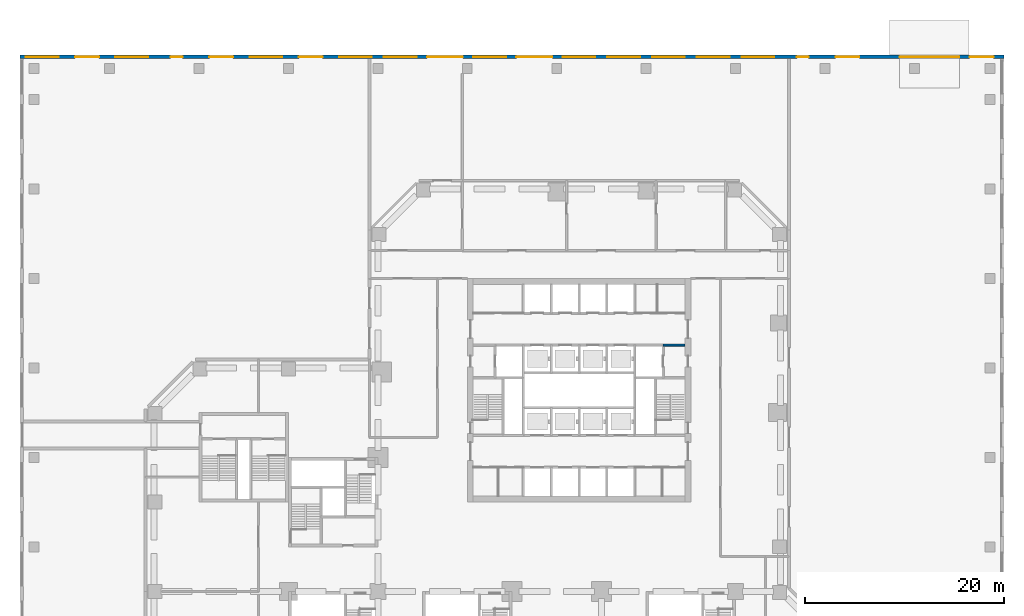
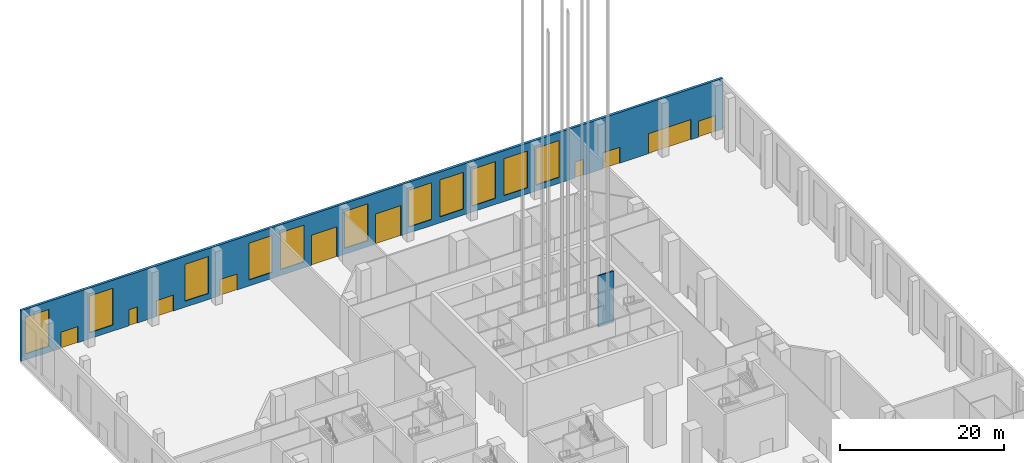
# One storey, part 16 of 32: 11 windows, 10 doors, 2 walls, 21 openings.
"""IFC4 building model written with IfcOpenShell, lengths in metres."""

from ifc_helpers import new_model, si_unit, direction, frame, frame_2d, origin, place, context, subcontext, project, spatial, rectangle, extrude, material, layer, layer_set, constituent, constituent_set, type_object, element, fill, save


model = new_model("IFC4")

# Units and contexts
model_context = context("Model", 3, precision=1e-05, world=origin(), true_north=direction((0.0, 1.0)))
body_context = subcontext(model_context, "Body", "Model", "MODEL_VIEW")
ifc_project = project(units=[si_unit("LENGTHUNIT", "METRE"), si_unit("AREAUNIT", "SQUARE_METRE"), si_unit("VOLUMEUNIT", "CUBIC_METRE"), si_unit("PLANEANGLEUNIT", "RADIAN"), si_unit("MASSUNIT", "GRAM", prefix="KILO")], contexts=[model_context])

# Site, building, storey
site_placement = place(None, origin())
site = spatial("IfcSite", under=ifc_project, at=site_placement, CompositionType="ELEMENT")
building_placement = place(site_placement, origin())
building = spatial("IfcBuilding", under=site, at=building_placement, Name="Quoin Convention Tower", CompositionType="ELEMENT")
storey_placement = place(building_placement, origin())
storey = spatial("IfcBuildingStorey", under=building, at=storey_placement, Name="L00", CompositionType="ELEMENT", Elevation=0.0)

# Wall, openings, doors, windows
ifc_material_1 = material(Name="Brick masonry", Category="masonry")
ifc_layer_1 = layer(ifc_material_1, 0.35009765625)
ifc_layer_set_1 = layer_set([ifc_layer_1], Name="Brick masonry")
wall_type_1 = type_object("IfcWallType", Name="Brick facade wall", PredefinedType="STANDARD", material=ifc_layer_set_1)
wall_1_placement = place(storey_placement, frame((99.0, 94.324951171875, 0.0), z_axis=(0.0, 0.0, 1.0), x_axis=(-1.0, 0.0, 0.0)))
wall_1 = element("IfcWall", 1, at=wall_1_placement, inside=storey, type_object=wall_type_1, Name="fw-L00-99000_94500", PredefinedType="STANDARD", context=body_context, shape_type="SweptSolid", body=[
    extrude(rectangle(XDim=99.0, YDim=0.35009765625, at=frame_2d((49.5, 0.0))), origin(), (0.0, 0.0, 1.0), 7.590087890625),
])
opening_1_placement = place(wall_1_placement, frame((1.050048828125, 0.0, 0.0)))
opening_1 = element("IfcOpeningElement", 2, at=opening_1_placement, cuts=wall_1, Name="Opening D-T5", PredefinedType="OPENING", context=body_context, shape_type="SweptSolid", body=[
    extrude(rectangle(XDim=2.39990234375, YDim=2.39990234375, at=frame_2d((1.199951171875, 1.199951171875))), frame((0.0, 0.18505859375, 0.0), z_axis=(0.0, -1.0, 0.0), x_axis=(1.0, 0.0, 0.0)), (0.0, 0.0, 1.0), 0.3701171875),
])
opening_2_placement = place(wall_1_placement, frame((4.5, 0.0, 0.0)))
opening_2 = element("IfcOpeningElement", 3, at=opening_2_placement, cuts=wall_1, Name="Opening D-T6", PredefinedType="OPENING", context=body_context, shape_type="SweptSolid", body=[
    extrude(rectangle(XDim=6.0, YDim=3.0, at=frame_2d((3.0, 1.5))), frame((0.0, 0.18505859375, 0.0), z_axis=(0.0, -1.0, 0.0), x_axis=(1.0, 0.0, 0.0)), (0.0, 0.0, 1.0), 0.3701171875),
])
opening_3_placement = place(wall_1_placement, frame((14.550048828125, 0.0, 0.0)))
opening_3 = element("IfcOpeningElement", 4, at=opening_3_placement, cuts=wall_1, Name="Opening D-T5", PredefinedType="OPENING", context=body_context, shape_type="SweptSolid", body=[
    extrude(rectangle(XDim=2.39990234375, YDim=2.39990234375, at=frame_2d((1.199951171875, 1.199951171875))), frame((0.0, 0.18505859375, 0.0), z_axis=(0.0, -1.0, 0.0), x_axis=(1.0, 0.0, 0.0)), (0.0, 0.0, 1.0), 0.3701171875),
])
opening_4_placement = place(wall_1_placement, frame((19.64990234375, 0.0, 0.0)))
opening_4 = element("IfcOpeningElement", 5, at=opening_4_placement, cuts=wall_1, Name="Opening D-T4", PredefinedType="OPENING", context=body_context, shape_type="SweptSolid", body=[
    extrude(rectangle(XDim=1.199951171875, YDim=2.39990234375, at=frame_2d((0.60009765625, 1.199951171875))), frame((0.0, 0.18505859375, 0.0), z_axis=(0.0, -1.0, 0.0), x_axis=(1.0, 0.0, 0.0)), (0.0, 0.0, 1.0), 0.3701171875),
])
opening_5_placement = place(wall_1_placement, frame((23.10009765625, 0.0, 0.89990234375)))
opening_5 = element("IfcOpeningElement", 6, at=opening_5_placement, cuts=wall_1, Name="Opening W-06", PredefinedType="OPENING", context=body_context, shape_type="SweptSolid", body=[
    extrude(rectangle(XDim=3.300048828125, YDim=5.5, at=frame_2d((1.64990234375, 2.75))), frame((0.0, 0.18505859375, 0.0), z_axis=(0.0, -1.0, 0.0), x_axis=(1.0, 0.0, 0.0)), (0.0, 0.0, 1.0), 0.3701171875),
])
opening_6_placement = place(wall_1_placement, frame((27.60009765625, 0.0, 0.89990234375)))
opening_6 = element("IfcOpeningElement", 7, at=opening_6_placement, cuts=wall_1, Name="Opening W-06", PredefinedType="OPENING", context=body_context, shape_type="SweptSolid", body=[
    extrude(rectangle(XDim=3.300048828125, YDim=5.5, at=frame_2d((1.64990234375, 2.75))), frame((0.0, 0.18505859375, 0.0), z_axis=(0.0, -1.0, 0.0), x_axis=(1.0, 0.0, 0.0)), (0.0, 0.0, 1.0), 0.3701171875),
])
opening_7_placement = place(wall_1_placement, frame((32.10009765625, 0.0, 0.89990234375)))
opening_7 = element("IfcOpeningElement", 8, at=opening_7_placement, cuts=wall_1, Name="Opening W-06", PredefinedType="OPENING", context=body_context, shape_type="SweptSolid", body=[
    extrude(rectangle(XDim=3.300048828125, YDim=5.5, at=frame_2d((1.64990234375, 2.75))), frame((0.0, 0.18505859375, 0.0), z_axis=(0.0, -1.0, 0.0), x_axis=(1.0, 0.0, 0.0)), (0.0, 0.0, 1.0), 0.3701171875),
])
opening_8_placement = place(wall_1_placement, frame((36.60009765625, 0.0, 0.89990234375)))
opening_8 = element("IfcOpeningElement", 9, at=opening_8_placement, cuts=wall_1, Name="Opening W-06", PredefinedType="OPENING", context=body_context, shape_type="SweptSolid", body=[
    extrude(rectangle(XDim=3.300048828125, YDim=5.5, at=frame_2d((1.64990234375, 2.75))), frame((0.0, 0.18505859375, 0.0), z_axis=(0.0, -1.0, 0.0), x_axis=(1.0, 0.0, 0.0)), (0.0, 0.0, 1.0), 0.3701171875),
])
opening_9_placement = place(wall_1_placement, frame((41.10009765625, 0.0, 0.89990234375)))
opening_9 = element("IfcOpeningElement", 10, at=opening_9_placement, cuts=wall_1, Name="Opening W-06", PredefinedType="OPENING", context=body_context, shape_type="SweptSolid", body=[
    extrude(rectangle(XDim=3.300048828125, YDim=5.5, at=frame_2d((1.64990234375, 2.75))), frame((0.0, 0.18505859375, 0.0), z_axis=(0.0, -1.0, 0.0), x_axis=(1.0, 0.0, 0.0)), (0.0, 0.0, 1.0), 0.3701171875),
])
opening_10_placement = place(wall_1_placement, frame((45.449951171875, 0.0, 0.0)))
opening_10 = element("IfcOpeningElement", 11, at=opening_10_placement, cuts=wall_1, Name="Opening D-T3", PredefinedType="OPENING", context=body_context, shape_type="SweptSolid", body=[
    extrude(rectangle(XDim=3.60009765625, YDim=4.5, at=frame_2d((1.800048828125, 2.25))), frame((0.0, 0.18505859375, 0.0), z_axis=(0.0, -1.0, 0.0), x_axis=(1.0, 0.0, 0.0)), (0.0, 0.0, 1.0), 0.3701171875),
])
opening_11_placement = place(wall_1_placement, frame((50.10009765625, 0.0, 0.89990234375)))
opening_11 = element("IfcOpeningElement", 12, at=opening_11_placement, cuts=wall_1, Name="Opening W-06", PredefinedType="OPENING", context=body_context, shape_type="SweptSolid", body=[
    extrude(rectangle(XDim=3.300048828125, YDim=5.5, at=frame_2d((1.64990234375, 2.75))), frame((0.0, 0.18505859375, 0.0), z_axis=(0.0, -1.0, 0.0), x_axis=(1.0, 0.0, 0.0)), (0.0, 0.0, 1.0), 0.3701171875),
])
opening_12_placement = place(wall_1_placement, frame((54.449951171875, 0.0, 0.0)))
opening_12 = element("IfcOpeningElement", 13, at=opening_12_placement, cuts=wall_1, Name="Opening D-T3", PredefinedType="OPENING", context=body_context, shape_type="SweptSolid", body=[
    extrude(rectangle(XDim=3.60009765625, YDim=4.5, at=frame_2d((1.800048828125, 2.25))), frame((0.0, 0.18505859375, 0.0), z_axis=(0.0, -1.0, 0.0), x_axis=(1.0, 0.0, 0.0)), (0.0, 0.0, 1.0), 0.3701171875),
])
opening_13_placement = place(wall_1_placement, frame((59.10009765625, 0.0, 0.89990234375)))
opening_13 = element("IfcOpeningElement", 14, at=opening_13_placement, cuts=wall_1, Name="Opening W-06", PredefinedType="OPENING", context=body_context, shape_type="SweptSolid", body=[
    extrude(rectangle(XDim=3.300048828125, YDim=5.5, at=frame_2d((1.64990234375, 2.75))), frame((0.0, 0.18505859375, 0.0), z_axis=(0.0, -1.0, 0.0), x_axis=(1.0, 0.0, 0.0)), (0.0, 0.0, 1.0), 0.3701171875),
])
opening_14_placement = place(wall_1_placement, frame((63.60009765625, 0.0, 0.89990234375)))
opening_14 = element("IfcOpeningElement", 15, at=opening_14_placement, cuts=wall_1, Name="Opening W-06", PredefinedType="OPENING", context=body_context, shape_type="SweptSolid", body=[
    extrude(rectangle(XDim=3.300048828125, YDim=5.5, at=frame_2d((1.64990234375, 2.75))), frame((0.0, 0.18505859375, 0.0), z_axis=(0.0, -1.0, 0.0), x_axis=(1.0, 0.0, 0.0)), (0.0, 0.0, 1.0), 0.3701171875),
])
opening_15_placement = place(wall_1_placement, frame((68.550048828125, 0.0, 0.0)))
opening_15 = element("IfcOpeningElement", 16, at=opening_15_placement, cuts=wall_1, Name="Opening D-T5", PredefinedType="OPENING", context=body_context, shape_type="SweptSolid", body=[
    extrude(rectangle(XDim=2.39990234375, YDim=2.39990234375, at=frame_2d((1.199951171875, 1.199951171875))), frame((0.0, 0.18505859375, 0.0), z_axis=(0.0, -1.0, 0.0), x_axis=(1.0, 0.0, 0.0)), (0.0, 0.0, 1.0), 0.3701171875),
])
opening_16_placement = place(wall_1_placement, frame((72.60009765625, 0.0, 0.89990234375)))
opening_16 = element("IfcOpeningElement", 17, at=opening_16_placement, cuts=wall_1, Name="Opening W-06", PredefinedType="OPENING", context=body_context, shape_type="SweptSolid", body=[
    extrude(rectangle(XDim=3.300048828125, YDim=5.5, at=frame_2d((1.64990234375, 2.75))), frame((0.0, 0.18505859375, 0.0), z_axis=(0.0, -1.0, 0.0), x_axis=(1.0, 0.0, 0.0)), (0.0, 0.0, 1.0), 0.3701171875),
])
opening_17_placement = place(wall_1_placement, frame((77.550048828125, 0.0, 0.0)))
opening_17 = element("IfcOpeningElement", 18, at=opening_17_placement, cuts=wall_1, Name="Opening D-T5", PredefinedType="OPENING", context=body_context, shape_type="SweptSolid", body=[
    extrude(rectangle(XDim=2.39990234375, YDim=2.39990234375, at=frame_2d((1.199951171875, 1.199951171875))), frame((0.0, 0.18505859375, 0.0), z_axis=(0.0, -1.0, 0.0), x_axis=(1.0, 0.0, 0.0)), (0.0, 0.0, 1.0), 0.3701171875),
])
opening_18_placement = place(wall_1_placement, frame((82.64990234375, 0.0, 0.0)))
opening_18 = element("IfcOpeningElement", 19, at=opening_18_placement, cuts=wall_1, Name="Opening D-T4", PredefinedType="OPENING", context=body_context, shape_type="SweptSolid", body=[
    extrude(rectangle(XDim=1.199951171875, YDim=2.39990234375, at=frame_2d((0.60009765625, 1.199951171875))), frame((0.0, 0.18505859375, 0.0), z_axis=(0.0, -1.0, 0.0), x_axis=(1.0, 0.0, 0.0)), (0.0, 0.0, 1.0), 0.3701171875),
])
opening_19_placement = place(wall_1_placement, frame((86.10009765625, 0.0, 0.89990234375)))
opening_19 = element("IfcOpeningElement", 20, at=opening_19_placement, cuts=wall_1, Name="Opening W-06", PredefinedType="OPENING", context=body_context, shape_type="SweptSolid", body=[
    extrude(rectangle(XDim=3.300048828125, YDim=5.5, at=frame_2d((1.64990234375, 2.75))), frame((0.0, 0.18505859375, 0.0), z_axis=(0.0, -1.0, 0.0), x_axis=(1.0, 0.0, 0.0)), (0.0, 0.0, 1.0), 0.3701171875),
])
opening_20_placement = place(wall_1_placement, frame((91.050048828125, 0.0, 0.0)))
opening_20 = element("IfcOpeningElement", 21, at=opening_20_placement, cuts=wall_1, Name="Opening D-T5", PredefinedType="OPENING", context=body_context, shape_type="SweptSolid", body=[
    extrude(rectangle(XDim=2.39990234375, YDim=2.39990234375, at=frame_2d((1.199951171875, 1.199951171875))), frame((0.0, 0.18505859375, 0.0), z_axis=(0.0, -1.0, 0.0), x_axis=(1.0, 0.0, 0.0)), (0.0, 0.0, 1.0), 0.3701171875),
])
opening_21_placement = place(wall_1_placement, frame((95.10009765625, 0.0, 0.89990234375)))
opening_21 = element("IfcOpeningElement", 22, at=opening_21_placement, cuts=wall_1, Name="Opening W-06", PredefinedType="OPENING", context=body_context, shape_type="SweptSolid", body=[
    extrude(rectangle(XDim=3.300048828125, YDim=5.5, at=frame_2d((1.64990234375, 2.75))), frame((0.0, 0.18505859375, 0.0), z_axis=(0.0, -1.0, 0.0), x_axis=(1.0, 0.0, 0.0)), (0.0, 0.0, 1.0), 0.3701171875),
])
ifc_material_2 = material(Name="Galvanised steel", Category="steel")
door_type_1 = type_object("IfcDoorType", Name="Exit door", OperationType="DOUBLE_DOOR_SINGLE_SWING", PredefinedType="DOOR", material=ifc_material_2)
door_1_placement = place(opening_1_placement, frame((2.39990234375, 0.0, 0.0), z_axis=(0.0, 0.0, 1.0), x_axis=(-1.0, 0.0, 0.0)))
door_1 = element("IfcDoor", 23, at=door_1_placement, inside=storey, type_object=door_type_1, Name="dr-L00-96750_94325", OperationType="DOUBLE_DOOR_SINGLE_SWING", OverallHeight=2.39990234375, OverallWidth=2.39990234375, PredefinedType="DOOR", context=body_context, shape_type="SweptSolid", body=[
    extrude(rectangle(XDim=2.39990234375, YDim=2.39990234375, at=frame_2d((1.199951171875, 1.199951171875))), frame((0.0, -0.02978515625, 0.0), z_axis=(0.0, -1.0, 0.0), x_axis=(1.0, 0.0, 0.0)), (0.0, 0.0, 1.0), 0.050048828125),
])
fill(opening_1, door_1)
door_2_placement = place(opening_3_placement, frame((2.39990234375, 0.0, 0.0), z_axis=(0.0, 0.0, 1.0), x_axis=(-1.0, 0.0, 0.0)))
door_2 = element("IfcDoor", 24, at=door_2_placement, inside=storey, type_object=door_type_1, Name="dr-L00-83250_94325", OperationType="DOUBLE_DOOR_SINGLE_SWING", OverallHeight=2.39990234375, OverallWidth=2.39990234375, PredefinedType="DOOR", context=body_context, shape_type="SweptSolid", body=[
    extrude(rectangle(XDim=2.39990234375, YDim=2.39990234375, at=frame_2d((1.199951171875, 1.199951171875))), frame((0.0, -0.02978515625, 0.0), z_axis=(0.0, -1.0, 0.0), x_axis=(1.0, 0.0, 0.0)), (0.0, 0.0, 1.0), 0.050048828125),
])
fill(opening_3, door_2)
door_3_placement = place(opening_15_placement, frame((2.39990234375, 0.0, 0.0), z_axis=(0.0, 0.0, 1.0), x_axis=(-1.0, 0.0, 0.0)))
door_3 = element("IfcDoor", 25, at=door_3_placement, inside=storey, type_object=door_type_1, Name="dr-L00-29250_94325", OperationType="DOUBLE_DOOR_SINGLE_SWING", OverallHeight=2.39990234375, OverallWidth=2.39990234375, PredefinedType="DOOR", context=body_context, shape_type="SweptSolid", body=[
    extrude(rectangle(XDim=2.39990234375, YDim=2.39990234375, at=frame_2d((1.199951171875, 1.199951171875))), frame((0.0, -0.02978515625, 0.0), z_axis=(0.0, -1.0, 0.0), x_axis=(1.0, 0.0, 0.0)), (0.0, 0.0, 1.0), 0.050048828125),
])
fill(opening_15, door_3)
door_4_placement = place(opening_17_placement, frame((2.39990234375, 0.0, 0.0), z_axis=(0.0, 0.0, 1.0), x_axis=(-1.0, 0.0, 0.0)))
door_4 = element("IfcDoor", 26, at=door_4_placement, inside=storey, type_object=door_type_1, Name="dr-L00-20250_94325", OperationType="DOUBLE_DOOR_SINGLE_SWING", OverallHeight=2.39990234375, OverallWidth=2.39990234375, PredefinedType="DOOR", context=body_context, shape_type="SweptSolid", body=[
    extrude(rectangle(XDim=2.39990234375, YDim=2.39990234375, at=frame_2d((1.199951171875, 1.199951171875))), frame((0.0, -0.02978515625, 0.0), z_axis=(0.0, -1.0, 0.0), x_axis=(1.0, 0.0, 0.0)), (0.0, 0.0, 1.0), 0.050048828125),
])
fill(opening_17, door_4)
door_5_placement = place(opening_20_placement, frame((2.39990234375, 0.0, 0.0), z_axis=(0.0, 0.0, 1.0), x_axis=(-1.0, 0.0, 0.0)))
door_5 = element("IfcDoor", 27, at=door_5_placement, inside=storey, type_object=door_type_1, Name="dr-L00-6750_94325", OperationType="DOUBLE_DOOR_SINGLE_SWING", OverallHeight=2.39990234375, OverallWidth=2.39990234375, PredefinedType="DOOR", context=body_context, shape_type="SweptSolid", body=[
    extrude(rectangle(XDim=2.39990234375, YDim=2.39990234375, at=frame_2d((1.199951171875, 1.199951171875))), frame((0.0, -0.02978515625, 0.0), z_axis=(0.0, -1.0, 0.0), x_axis=(1.0, 0.0, 0.0)), (0.0, 0.0, 1.0), 0.050048828125),
])
fill(opening_20, door_5)
door_type_2 = type_object("IfcDoorType", Name="Loading dock door", OperationType="ROLLINGUP", PredefinedType="DOOR", material=ifc_material_2)
door_6_placement = place(opening_10_placement, frame((3.60009765625, 0.0, 0.0), z_axis=(0.0, 0.0, 1.0), x_axis=(-1.0, 0.0, 0.0)))
door_6 = element("IfcDoor", 28, at=door_6_placement, inside=storey, type_object=door_type_2, Name="dr-L00-51750_94325", OperationType="ROLLINGUP", OverallHeight=4.5, OverallWidth=3.60009765625, PredefinedType="DOOR", context=body_context, shape_type="SweptSolid", body=[
    extrude(rectangle(XDim=3.60009765625, YDim=4.5, at=frame_2d((1.800048828125, 2.25))), frame((0.0, -0.02978515625, 0.0), z_axis=(0.0, -1.0, 0.0), x_axis=(1.0, 0.0, 0.0)), (0.0, 0.0, 1.0), 0.050048828125),
])
fill(opening_10, door_6)
door_7_placement = place(opening_12_placement, frame((3.60009765625, 0.0, 0.0), z_axis=(0.0, 0.0, 1.0), x_axis=(-1.0, 0.0, 0.0)))
door_7 = element("IfcDoor", 29, at=door_7_placement, inside=storey, type_object=door_type_2, Name="dr-L00-42750_94325", OperationType="ROLLINGUP", OverallHeight=4.5, OverallWidth=3.60009765625, PredefinedType="DOOR", context=body_context, shape_type="SweptSolid", body=[
    extrude(rectangle(XDim=3.60009765625, YDim=4.5, at=frame_2d((1.800048828125, 2.25))), frame((0.0, -0.02978515625, 0.0), z_axis=(0.0, -1.0, 0.0), x_axis=(1.0, 0.0, 0.0)), (0.0, 0.0, 1.0), 0.050048828125),
])
fill(opening_12, door_7)
ifc_material_3 = material(Name="Aluminium", Category="aluminium")
ifc_constituent_1 = constituent(ifc_material_3, Name="Frame")
ifc_material_4 = material(Name="Insulated glass", Category="glass")
ifc_constituent_2 = constituent(ifc_material_4, Name="Glazing")
ifc_constituent_set = constituent_set(constituents=[ifc_constituent_1, ifc_constituent_2], Name="Aluminium")
window_type = type_object("IfcWindowType", Name="Podium street window", PartitioningType="TRIPLE_PANEL_VERTICAL", PredefinedType="WINDOW", material=ifc_constituent_set)
window_1_placement = place(opening_5_placement, origin())
window_1 = element("IfcWindow", 30, at=window_1_placement, inside=storey, type_object=window_type, Name="win-L00-74250_94325", OverallHeight=5.5, OverallWidth=3.300048828125, PartitioningType="SINGLE_PANEL", PredefinedType="WINDOW", context=body_context, shape_type="SweptSolid", body=[
    extrude(rectangle(XDim=3.300048828125, YDim=5.5, at=frame_2d((1.64990234375, 2.75))), frame((0.0, 0.0849609375, 0.0), z_axis=(0.0, -1.0, 0.0), x_axis=(1.0, 0.0, 0.0)), (0.0, 0.0, 1.0), 0.06005859375),
])
fill(opening_5, window_1)
window_2_placement = place(opening_6_placement, origin())
window_2 = element("IfcWindow", 31, at=window_2_placement, inside=storey, type_object=window_type, Name="win-L00-69750_94325", OverallHeight=5.5, OverallWidth=3.300048828125, PartitioningType="SINGLE_PANEL", PredefinedType="WINDOW", context=body_context, shape_type="SweptSolid", body=[
    extrude(rectangle(XDim=3.300048828125, YDim=5.5, at=frame_2d((1.64990234375, 2.75))), frame((0.0, 0.0849609375, 0.0), z_axis=(0.0, -1.0, 0.0), x_axis=(1.0, 0.0, 0.0)), (0.0, 0.0, 1.0), 0.06005859375),
])
fill(opening_6, window_2)
window_3_placement = place(opening_7_placement, origin())
window_3 = element("IfcWindow", 32, at=window_3_placement, inside=storey, type_object=window_type, Name="win-L00-65250_94325", OverallHeight=5.5, OverallWidth=3.300048828125, PartitioningType="SINGLE_PANEL", PredefinedType="WINDOW", context=body_context, shape_type="SweptSolid", body=[
    extrude(rectangle(XDim=3.300048828125, YDim=5.5, at=frame_2d((1.64990234375, 2.75))), frame((0.0, 0.0849609375, 0.0), z_axis=(0.0, -1.0, 0.0), x_axis=(1.0, 0.0, 0.0)), (0.0, 0.0, 1.0), 0.06005859375),
])
fill(opening_7, window_3)
window_4_placement = place(opening_8_placement, origin())
window_4 = element("IfcWindow", 33, at=window_4_placement, inside=storey, type_object=window_type, Name="win-L00-60750_94325", OverallHeight=5.5, OverallWidth=3.300048828125, PartitioningType="SINGLE_PANEL", PredefinedType="WINDOW", context=body_context, shape_type="SweptSolid", body=[
    extrude(rectangle(XDim=3.300048828125, YDim=5.5, at=frame_2d((1.64990234375, 2.75))), frame((0.0, 0.0849609375, 0.0), z_axis=(0.0, -1.0, 0.0), x_axis=(1.0, 0.0, 0.0)), (0.0, 0.0, 1.0), 0.06005859375),
])
fill(opening_8, window_4)
window_5_placement = place(opening_9_placement, origin())
window_5 = element("IfcWindow", 34, at=window_5_placement, inside=storey, type_object=window_type, Name="win-L00-56250_94325", OverallHeight=5.5, OverallWidth=3.300048828125, PartitioningType="SINGLE_PANEL", PredefinedType="WINDOW", context=body_context, shape_type="SweptSolid", body=[
    extrude(rectangle(XDim=3.300048828125, YDim=5.5, at=frame_2d((1.64990234375, 2.75))), frame((0.0, 0.0849609375, 0.0), z_axis=(0.0, -1.0, 0.0), x_axis=(1.0, 0.0, 0.0)), (0.0, 0.0, 1.0), 0.06005859375),
])
fill(opening_9, window_5)
window_6_placement = place(opening_11_placement, origin())
window_6 = element("IfcWindow", 35, at=window_6_placement, inside=storey, type_object=window_type, Name="win-L00-47250_94325", OverallHeight=5.5, OverallWidth=3.300048828125, PartitioningType="SINGLE_PANEL", PredefinedType="WINDOW", context=body_context, shape_type="SweptSolid", body=[
    extrude(rectangle(XDim=3.300048828125, YDim=5.5, at=frame_2d((1.64990234375, 2.75))), frame((0.0, 0.0849609375, 0.0), z_axis=(0.0, -1.0, 0.0), x_axis=(1.0, 0.0, 0.0)), (0.0, 0.0, 1.0), 0.06005859375),
])
fill(opening_11, window_6)
window_7_placement = place(opening_13_placement, origin())
window_7 = element("IfcWindow", 36, at=window_7_placement, inside=storey, type_object=window_type, Name="win-L00-38250_94325", OverallHeight=5.5, OverallWidth=3.300048828125, PartitioningType="SINGLE_PANEL", PredefinedType="WINDOW", context=body_context, shape_type="SweptSolid", body=[
    extrude(rectangle(XDim=3.300048828125, YDim=5.5, at=frame_2d((1.64990234375, 2.75))), frame((0.0, 0.0849609375, 0.0), z_axis=(0.0, -1.0, 0.0), x_axis=(1.0, 0.0, 0.0)), (0.0, 0.0, 1.0), 0.06005859375),
])
fill(opening_13, window_7)
window_8_placement = place(opening_14_placement, origin())
window_8 = element("IfcWindow", 37, at=window_8_placement, inside=storey, type_object=window_type, Name="win-L00-33750_94325", OverallHeight=5.5, OverallWidth=3.300048828125, PartitioningType="SINGLE_PANEL", PredefinedType="WINDOW", context=body_context, shape_type="SweptSolid", body=[
    extrude(rectangle(XDim=3.300048828125, YDim=5.5, at=frame_2d((1.64990234375, 2.75))), frame((0.0, 0.0849609375, 0.0), z_axis=(0.0, -1.0, 0.0), x_axis=(1.0, 0.0, 0.0)), (0.0, 0.0, 1.0), 0.06005859375),
])
fill(opening_14, window_8)
window_9_placement = place(opening_16_placement, origin())
window_9 = element("IfcWindow", 38, at=window_9_placement, inside=storey, type_object=window_type, Name="win-L00-24750_94325", OverallHeight=5.5, OverallWidth=3.300048828125, PartitioningType="SINGLE_PANEL", PredefinedType="WINDOW", context=body_context, shape_type="SweptSolid", body=[
    extrude(rectangle(XDim=3.300048828125, YDim=5.5, at=frame_2d((1.64990234375, 2.75))), frame((0.0, 0.0849609375, 0.0), z_axis=(0.0, -1.0, 0.0), x_axis=(1.0, 0.0, 0.0)), (0.0, 0.0, 1.0), 0.06005859375),
])
fill(opening_16, window_9)
window_10_placement = place(opening_19_placement, origin())
window_10 = element("IfcWindow", 39, at=window_10_placement, inside=storey, type_object=window_type, Name="win-L00-11250_94325", OverallHeight=5.5, OverallWidth=3.300048828125, PartitioningType="SINGLE_PANEL", PredefinedType="WINDOW", context=body_context, shape_type="SweptSolid", body=[
    extrude(rectangle(XDim=3.300048828125, YDim=5.5, at=frame_2d((1.64990234375, 2.75))), frame((0.0, 0.0849609375, 0.0), z_axis=(0.0, -1.0, 0.0), x_axis=(1.0, 0.0, 0.0)), (0.0, 0.0, 1.0), 0.06005859375),
])
fill(opening_19, window_10)
window_11_placement = place(opening_21_placement, origin())
window_11 = element("IfcWindow", 40, at=window_11_placement, inside=storey, type_object=window_type, Name="win-L00-2250_94325", OverallHeight=5.5, OverallWidth=3.300048828125, PartitioningType="SINGLE_PANEL", PredefinedType="WINDOW", context=body_context, shape_type="SweptSolid", body=[
    extrude(rectangle(XDim=3.300048828125, YDim=5.5, at=frame_2d((1.64990234375, 2.75))), frame((0.0, 0.0849609375, 0.0), z_axis=(0.0, -1.0, 0.0), x_axis=(1.0, 0.0, 0.0)), (0.0, 0.0, 1.0), 0.06005859375),
])
fill(opening_21, window_11)
door_type_3 = type_object("IfcDoorType", Name="Service door", OperationType="SINGLE_SWING_LEFT", PredefinedType="DOOR", material=ifc_material_2)
door_8_placement = place(opening_4_placement, frame((1.199951171875, 0.0, 0.0), z_axis=(0.0, 0.0, 1.0), x_axis=(-1.0, 0.0, 0.0)))
door_8 = element("IfcDoor", 41, at=door_8_placement, inside=storey, type_object=door_type_3, Name="dr-L00-78750_94325", OperationType="SINGLE_SWING_RIGHT", OverallHeight=2.39990234375, OverallWidth=1.199951171875, PredefinedType="DOOR", context=body_context, shape_type="SweptSolid", body=[
    extrude(rectangle(XDim=1.199951171875, YDim=2.39990234375, at=frame_2d((0.60009765625, 1.199951171875))), frame((0.0, -0.02978515625, 0.0), z_axis=(0.0, -1.0, 0.0), x_axis=(1.0, 0.0, 0.0)), (0.0, 0.0, 1.0), 0.050048828125),
])
fill(opening_4, door_8)
door_9_placement = place(opening_18_placement, frame((1.199951171875, 0.0, 0.0), z_axis=(0.0, 0.0, 1.0), x_axis=(-1.0, 0.0, 0.0)))
door_9 = element("IfcDoor", 42, at=door_9_placement, inside=storey, type_object=door_type_3, Name="dr-L00-15750_94325", OperationType="SINGLE_SWING_LEFT", OverallHeight=2.39990234375, OverallWidth=1.199951171875, PredefinedType="DOOR", context=body_context, shape_type="SweptSolid", body=[
    extrude(rectangle(XDim=1.199951171875, YDim=2.39990234375, at=frame_2d((0.60009765625, 1.199951171875))), frame((0.0, -0.02978515625, 0.0), z_axis=(0.0, -1.0, 0.0), x_axis=(1.0, 0.0, 0.0)), (0.0, 0.0, 1.0), 0.050048828125),
])
fill(opening_18, door_9)
door_type_4 = type_object("IfcDoorType", Name="Vehicle gate", OperationType="ROLLINGUP", PredefinedType="GATE", material=ifc_material_2)
door_10_placement = place(opening_2_placement, frame((6.0, 0.0, 0.0), z_axis=(0.0, 0.0, 1.0), x_axis=(-1.0, 0.0, 0.0)))
door_10 = element("IfcDoor", 43, at=door_10_placement, inside=storey, type_object=door_type_4, Name="dr-L00-88500_94325", OperationType="ROLLINGUP", OverallHeight=3.0, OverallWidth=6.0, PredefinedType="GATE", context=body_context, shape_type="SweptSolid", body=[
    extrude(rectangle(XDim=6.0, YDim=3.0, at=frame_2d((3.0, 1.5))), frame((0.0, -0.02978515625, 0.0), z_axis=(0.0, -1.0, 0.0), x_axis=(1.0, 0.0, 0.0)), (0.0, 0.0, 1.0), 0.050048828125),
])
fill(opening_2, door_10)

# Wall
ifc_material_5 = material(Name="Concrete C50", Category="concrete")
ifc_layer_2 = layer(ifc_material_5, 0.199951171875)
ifc_layer_set_2 = layer_set([ifc_layer_2], Name="Concrete C50")
wall_type_2 = type_object("IfcWallType", Name="Core shaft wall", PredefinedType="SOLIDWALL", material=ifc_layer_set_2)
wall_2_placement = place(storey_placement, frame((64.699951171875, 65.300048828125, 0.0), z_axis=(0.0, 0.0, 1.0), x_axis=(1.0, 0.0, 0.0)))
element("IfcWall", 44, at=wall_2_placement, inside=storey, type_object=wall_type_2, Name="cr-C1-L00-h15800_19700", PredefinedType="SOLIDWALL", context=body_context, shape_type="SweptSolid", body=[
    extrude(rectangle(XDim=2.199951171875, YDim=0.199951171875, at=frame_2d((1.10009765625, 0.0))), origin(), (0.0, 0.0, 1.0), 7.64990234375),
])

save(model, "model.ifc")
